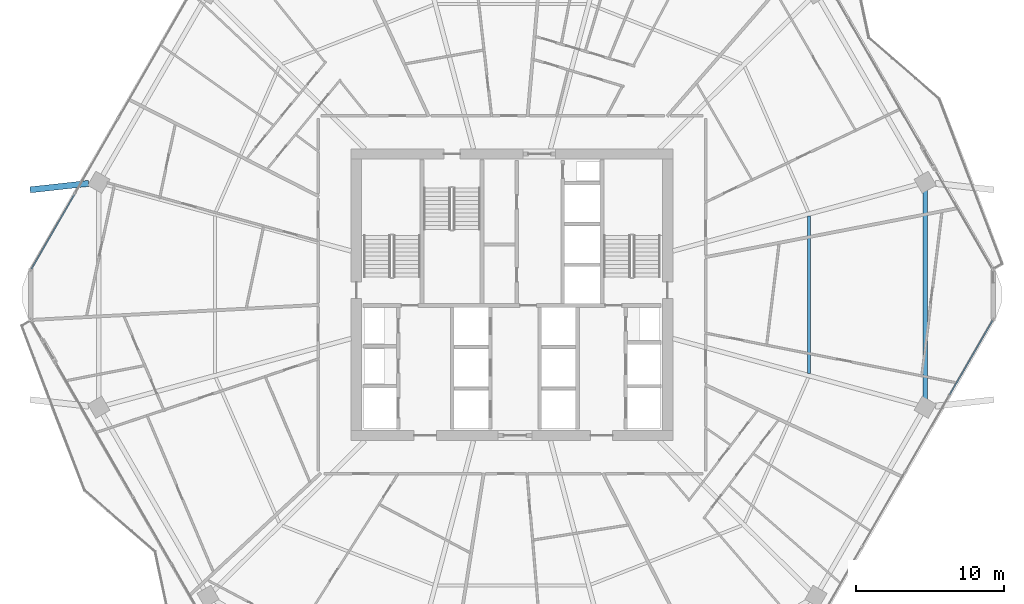
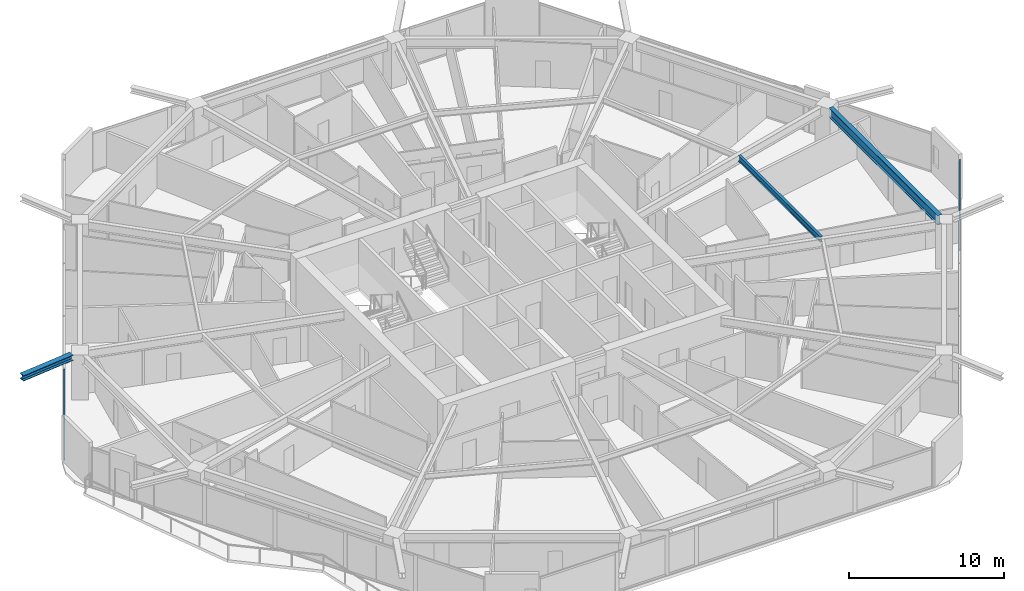
# One storey, part 11 of 29: 4 members, 3 beams, 2 elements without a shape of their own.
"""IFC4 building model written with IfcOpenShell, lengths in metres."""

from ifc_helpers import new_model, si_unit, direction, frame, origin, origin_2d, place, context, subcontext, project, spatial, hollow_rectangle, i_section, extrude, material, material_profile, profile_set, type_object, element, aggregate, save


model = new_model("IFC4")

# Units and contexts
model_context = context("Model", 3, precision=1e-05, world=origin(), true_north=direction((0.0, 1.0)))
body_context = subcontext(model_context, "Body", "Model", "MODEL_VIEW")
ifc_project = project(units=[si_unit("LENGTHUNIT", "METRE"), si_unit("AREAUNIT", "SQUARE_METRE"), si_unit("VOLUMEUNIT", "CUBIC_METRE"), si_unit("PLANEANGLEUNIT", "RADIAN"), si_unit("MASSUNIT", "GRAM", prefix="KILO")], contexts=[model_context])

# Site, building, storey
site_placement = place(None, origin())
site = spatial("IfcSite", under=ifc_project, at=site_placement, CompositionType="ELEMENT")
building_placement = place(site_placement, origin())
building = spatial("IfcBuilding", under=site, at=building_placement, Name="Zuhravey Tower", CompositionType="ELEMENT")
storey_placement = place(building_placement, frame((0.0, 0.0, 134.199951171875)))
storey = spatial("IfcBuildingStorey", under=building, at=storey_placement, Name="L33", CompositionType="ELEMENT", Elevation=134.199951171875)

# Curtain wall, members
ifc_material_1 = material(Name="Thermally broken anodised aluminium", Category="aluminium")
curtain_wall_type = type_object("IfcCurtainWallType", Name="Zone 1-2 Residential Curtain Wall CW3", PredefinedType="NOTDEFINED", material=ifc_material_1)
curtain_wall_1_placement = place(storey_placement, origin())
curtain_wall_1 = element("IfcCurtainWall", 1, at=curtain_wall_1_placement, inside=storey, type_object=curtain_wall_type, Name="L33 CW3 CW-L33-F6-1", PredefinedType="NOTDEFINED")
ifc_material_2 = material(Name="Anodised aluminium", Category="aluminium")
ifc_material_profile_1 = material_profile(ifc_material_2, hollow_rectangle(XDim=0.090087890625, YDim=0.14990234375, WallThickness=0.0048828125, at=origin_2d()), Name="ALU-RHS-90x150x5")
ifc_profile_set_1 = profile_set([ifc_material_profile_1], Name="Anodised aluminium")
member_type = type_object("IfcMemberType", Name="Curtain-Wall Transom 90x150", PredefinedType="USERDEFINED", material=ifc_profile_set_1)
member_1_placement = place(storey_placement, frame((68.43359375, 30.259521484375, 0.045166015625), z_axis=(-0.500024450573, -0.866011286779, 0.0), x_axis=(0.866011286779, -0.500024450573, 0.0)))
member_1 = element("IfcMember", 2, at=member_1_placement, type_object=member_type, Name="CW3 transom 1.1", ObjectType="TRANSOM", PredefinedType="USERDEFINED", context=body_context, shape_type="SweptSolid", body=[
    extrude(hollow_rectangle(XDim=0.090087890625, YDim=0.14990234375, WallThickness=0.0048828125, at=origin_2d()), origin(), (0.0, 0.0, 1.0), 5.784912109375),
])
member_2_placement = place(storey_placement, frame((68.43359375, 30.259521484375, 3.0771484375), z_axis=(-0.500024450573, -0.866011286779, 0.0), x_axis=(0.866011286779, -0.500024450573, 0.0)))
member_2 = element("IfcMember", 3, at=member_2_placement, type_object=member_type, Name="CW3 transom 1.2", ObjectType="TRANSOM", PredefinedType="USERDEFINED", context=body_context, shape_type="SweptSolid", body=[
    extrude(hollow_rectangle(XDim=0.090087890625, YDim=0.14990234375, WallThickness=0.0048828125, at=origin_2d()), origin(), (0.0, 0.0, 1.0), 5.784912109375),
])
aggregate(curtain_wall_1, [member_1, member_2])

curtain_wall_2_placement = place(storey_placement, origin())
curtain_wall_2 = element("IfcCurtainWall", 4, at=curtain_wall_2_placement, inside=storey, type_object=curtain_wall_type, Name="L33 CW3 CW-L33-F3-1", PredefinedType="NOTDEFINED")
member_3_placement = place(storey_placement, frame((3.56640625, 33.740478515625, 0.045166015625), z_axis=(0.500024450573, 0.866011286779, 0.0), x_axis=(-0.866011286779, 0.500024450573, 0.0)))
member_3 = element("IfcMember", 5, at=member_3_placement, type_object=member_type, Name="CW3 transom 1.1", ObjectType="TRANSOM", PredefinedType="USERDEFINED", context=body_context, shape_type="SweptSolid", body=[
    extrude(hollow_rectangle(XDim=0.090087890625, YDim=0.14990234375, WallThickness=0.0048828125, at=origin_2d()), origin(), (0.0, 0.0, 1.0), 5.784912109375),
])
member_4_placement = place(storey_placement, frame((3.56640625, 33.740478515625, 3.0771484375), z_axis=(0.500024450573, 0.866011286779, 0.0), x_axis=(-0.866011286779, 0.500024450573, 0.0)))
member_4 = element("IfcMember", 6, at=member_4_placement, type_object=member_type, Name="CW3 transom 1.2", ObjectType="TRANSOM", PredefinedType="USERDEFINED", context=body_context, shape_type="SweptSolid", body=[
    extrude(hollow_rectangle(XDim=0.090087890625, YDim=0.14990234375, WallThickness=0.0048828125, at=origin_2d()), origin(), (0.0, 0.0, 1.0), 5.784912109375),
])
aggregate(curtain_wall_2, [member_3, member_4])

# Beams
ifc_material_3 = material(Name="Steel SM460", Category="steel")
ifc_material_profile_2 = material_profile(ifc_material_3, i_section(OverallWidth=0.406982421875, OverallDepth=0.427978515625, WebThickness=0.02001953125, FlangeThickness=0.034912109375, at=origin_2d()), Name="H-428x407x20x35")
ifc_profile_set_2 = profile_set([ifc_material_profile_2], Name="Steel SM460")
beam_type_1 = type_object("IfcBeamType", Name="Exoskeleton Node Tie Beam H428x407", PredefinedType="BEAM", material=ifc_profile_set_2)
beam_1_placement = place(storey_placement, frame((7.4287109375, 39.5166015625, 3.3359375), z_axis=(-0.994005957907, -0.109325914797, 0.0), x_axis=(0.109325914797, -0.994005957907, 0.0)))
element("IfcBeam", 7, at=beam_1_placement, inside=storey, type_object=beam_type_1, Name="L33 Exoskeleton Node Tie NT1-06", PredefinedType="BEAM", context=body_context, shape_type="SweptSolid", body=[
    extrude(i_section(OverallWidth=0.406982421875, OverallDepth=0.427978515625, WebThickness=0.02001953125, FlangeThickness=0.034912109375, at=origin_2d()), origin(), (0.0, 0.0, 1.0), 3.97509765625),
])
ifc_material_4 = material(Name="Steel SM355", Category="steel")
ifc_material_profile_3 = material_profile(ifc_material_4, i_section(OverallWidth=0.320068359375, OverallDepth=0.75, WebThickness=0.013916015625, FlangeThickness=0.02490234375, at=origin_2d()), Name="H-750x320x14x25")
ifc_profile_set_3 = profile_set([ifc_material_profile_3], Name="Steel SM355")
beam_type_2 = type_object("IfcBeamType", Name="Perimeter Ring Beam H750x320", PredefinedType="BEAM", material=ifc_profile_set_3)
beam_2_placement = place(storey_placement, frame((63.88916015625, 24.96142578125, 3.175048828125), z_axis=(0.0, 1.0, 0.0), x_axis=(-1.0, 0.0, 0.0)))
element("IfcBeam", 8, at=beam_2_placement, inside=storey, type_object=beam_type_2, Name="L33 PB1 BM-L33-PB-12", PredefinedType="BEAM", context=body_context, shape_type="SweptSolid", body=[
    extrude(i_section(OverallWidth=0.320068359375, OverallDepth=0.75, WebThickness=0.013916015625, FlangeThickness=0.02490234375, at=origin_2d()), origin(), (0.0, 0.0, 1.0), 14.0771484375),
])
ifc_material_profile_4 = material_profile(ifc_material_4, i_section(OverallWidth=0.199951171875, OverallDepth=0.449951171875, WebThickness=0.009033203125, FlangeThickness=0.013916015625, at=origin_2d()), Name="H-450x200x9x14")
ifc_profile_set_4 = profile_set([ifc_material_profile_4], Name="Steel SM355")
beam_type_3 = type_object("IfcBeamType", Name="Secondary Floor Joist H450x200", PredefinedType="JOIST", material=ifc_profile_set_4)
beam_3_placement = place(storey_placement, frame((56.052490234375, 26.695556640625, 3.324951171875), z_axis=(0.0, 1.0, 0.0), x_axis=(-1.0, 0.0, 0.0)))
element("IfcBeam", 9, at=beam_3_placement, inside=storey, type_object=beam_type_3, Name="L33 SJ1 BM-L33-SJ-12-1", PredefinedType="JOIST", context=body_context, shape_type="SweptSolid", body=[
    extrude(i_section(OverallWidth=0.199951171875, OverallDepth=0.449951171875, WebThickness=0.009033203125, FlangeThickness=0.013916015625, at=origin_2d()), origin(), (0.0, 0.0, 1.0), 10.60888671875),
])

save(model, "model.ifc")
